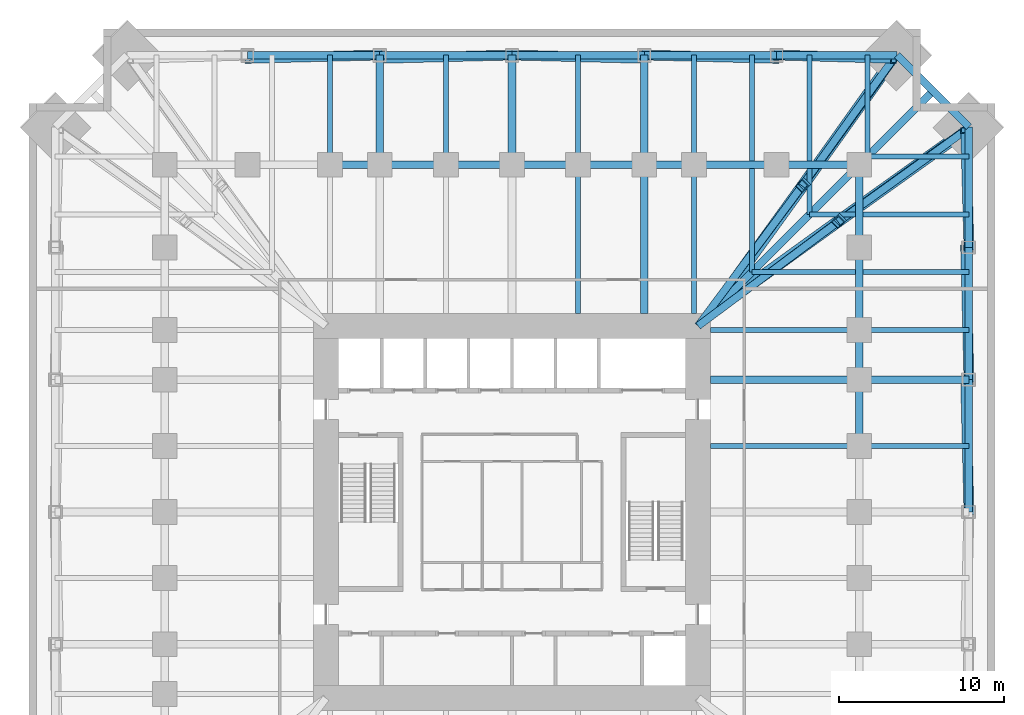
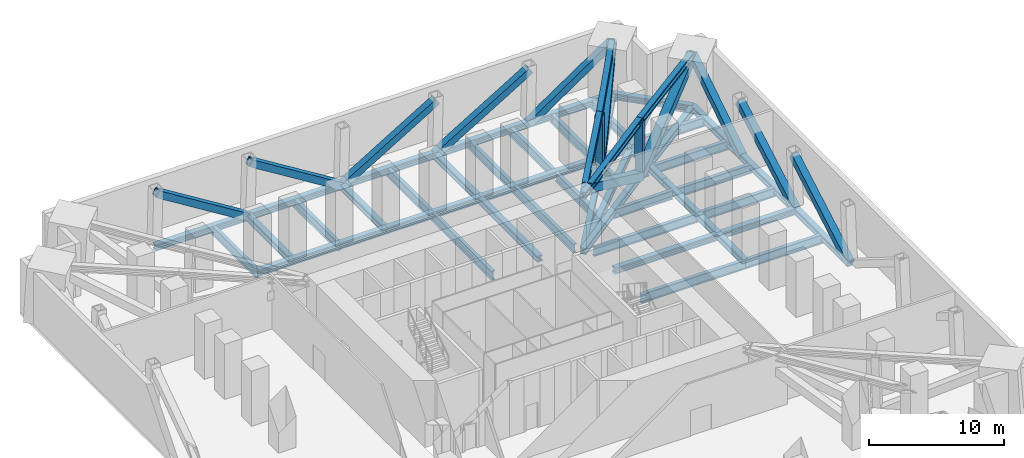
# One storey, part 4 of 9: 41 beams, 30 members.
"""IFC4 building model written with IfcOpenShell, lengths in metres."""

from ifc_helpers import new_model, si_unit, direction, frame, origin, origin_2d, place, context, subcontext, project, spatial, hollow_rectangle, i_section, extrude, material, material_profile, profile_set, type_object, element, save


model = new_model("IFC4")

# Units and contexts
model_context = context("Model", 3, precision=1e-05, world=origin(), true_north=direction((0.0, 1.0)))
body_context = subcontext(model_context, "Body", "Model", "MODEL_VIEW")
ifc_project = project(units=[si_unit("LENGTHUNIT", "METRE"), si_unit("AREAUNIT", "SQUARE_METRE"), si_unit("VOLUMEUNIT", "CUBIC_METRE"), si_unit("PLANEANGLEUNIT", "RADIAN"), si_unit("MASSUNIT", "GRAM", prefix="KILO")], contexts=[model_context])

# Site, building, storey
site_placement = place(None, origin())
site = spatial("IfcSite", under=ifc_project, at=site_placement, CompositionType="ELEMENT")
building_placement = place(site_placement, origin())
building = spatial("IfcBuilding", under=site, at=building_placement, Name="Peilmerk Tower", CompositionType="ELEMENT")
storey_placement = place(building_placement, frame((0.0, 0.0, 81.0)))
storey = spatial("IfcBuildingStorey", under=building, at=storey_placement, Name="L15", CompositionType="ELEMENT", Elevation=81.0)

# Beams
ifc_material = material(Name="Steel S460", Category="steel")
ifc_material_profile_1 = material_profile(ifc_material, i_section(OverallWidth=0.4541015625, OverallDepth=0.569091796875, WebThickness=0.077880859375, FlangeThickness=0.125, at=origin_2d()), Name="HD 400x1086")
ifc_profile_set_1 = profile_set([ifc_material_profile_1], Name="Steel S460")
beam_type_1 = type_object("IfcBeamType", Name="B17 HD 400x1086 edge beam", PredefinedType="SPANDREL", material=ifc_profile_set_1)
beam_1_placement = place(storey_placement, frame((23.28076171875, 27.630615234375, -0.534423828125), z_axis=(0.707106781187, -0.707106781187, 0.0), x_axis=(0.707106781187, 0.707106781187, 0.0)))
element("IfcBeam", 1, at=beam_1_placement, inside=storey, type_object=beam_type_1, Name="Notch beam L15", PredefinedType="SPANDREL", context=body_context, shape_type="SweptSolid", body=[
    extrude(i_section(OverallWidth=0.4541015625, OverallDepth=0.569091796875, WebThickness=0.077880859375, FlangeThickness=0.125, at=origin_2d()), origin(), (0.0, 0.0, 1.0), 6.151611328125),
])
ifc_material_profile_2 = material_profile(ifc_material, i_section(OverallWidth=0.302978515625, OverallDepth=0.81396484375, WebThickness=0.02099609375, FlangeThickness=0.0400390625, at=origin_2d()), Name="HEM 800")
ifc_profile_set_2 = profile_set([ifc_material_profile_2], Name="Steel S460")
beam_type_2 = type_object("IfcBeamType", Name="B26 HEM 800 floor beam", PredefinedType="BEAM", material=ifc_profile_set_2)
beam_2_placement = place(storey_placement, frame((11.0, 12.0, -0.656982421875), z_axis=(0.0, 1.0, 0.0), x_axis=(-1.0, 0.0, 0.0)))
element("IfcBeam", 2, at=beam_2_placement, inside=storey, type_object=beam_type_2, Name="Floor beam L15", PredefinedType="BEAM", context=body_context, shape_type="SweptSolid", body=[
    extrude(i_section(OverallWidth=0.302978515625, OverallDepth=0.81396484375, WebThickness=0.02099609375, FlangeThickness=0.0400390625, at=origin_2d()), origin(), (0.0, 0.0, 1.0), 9.0),
])
beam_3_placement = place(storey_placement, frame((11.0, 21.0, -0.656982421875), z_axis=(0.0, 1.0, 0.0), x_axis=(-1.0, 0.0, 0.0)))
element("IfcBeam", 3, at=beam_3_placement, inside=storey, type_object=beam_type_2, Name="Floor beam L15", PredefinedType="BEAM", context=body_context, shape_type="SweptSolid", body=[
    extrude(i_section(OverallWidth=0.302978515625, OverallDepth=0.81396484375, WebThickness=0.02099609375, FlangeThickness=0.0400390625, at=origin_2d()), origin(), (0.0, 0.0, 1.0), 6.630615234375),
])
beam_4_placement = place(storey_placement, frame((4.0, 12.0, -0.656982421875), z_axis=(0.0, 1.0, 0.0), x_axis=(-1.0, 0.0, 0.0)))
element("IfcBeam", 4, at=beam_4_placement, inside=storey, type_object=beam_type_2, Name="Floor beam L15", PredefinedType="BEAM", context=body_context, shape_type="SweptSolid", body=[
    extrude(i_section(OverallWidth=0.302978515625, OverallDepth=0.81396484375, WebThickness=0.02099609375, FlangeThickness=0.0400390625, at=origin_2d()), origin(), (0.0, 0.0, 1.0), 9.0),
])
for number, where, z_axis, x_axis, name in (
    (5, (4.0, 21.0, -0.656982421875), (0.0, 1.0, 0.0), (-1.0, 0.0, 0.0), "Floor beam L15"),
    (6, (-4.0, 21.0, -0.656982421875), (0.0, 1.0, 0.0), (-1.0, 0.0, 0.0), "Floor beam L15"),
    (7, (-11.0, 21.0, -0.656982421875), (0.0, 1.0, 0.0), (-1.0, 0.0, 0.0), "Floor beam L15"),
):
    element("IfcBeam", number, at=place(storey_placement, frame(where, z_axis=z_axis, x_axis=x_axis)), inside=storey, type_object=beam_type_2, Name=name, PredefinedType="BEAM", context=body_context, shape_type="SweptSolid", body=[
        extrude(i_section(OverallWidth=0.302978515625, OverallDepth=0.81396484375, WebThickness=0.02099609375, FlangeThickness=0.0400390625, at=origin_2d()), origin(), (0.0, 0.0, 1.0), 6.630615234375),
    ])
beam_5_placement = place(storey_placement, frame((12.0, 4.0, -0.656982421875), z_axis=(1.0, 0.0, 0.0), x_axis=(0.0, 1.0, 0.0)))
element("IfcBeam", 8, at=beam_5_placement, inside=storey, type_object=beam_type_2, Name="Floor beam L15", PredefinedType="BEAM", context=body_context, shape_type="SweptSolid", body=[
    extrude(i_section(OverallWidth=0.302978515625, OverallDepth=0.81396484375, WebThickness=0.02099609375, FlangeThickness=0.0400390625, at=origin_2d()), origin(), (0.0, 0.0, 1.0), 9.0),
])
beam_6_placement = place(storey_placement, frame((21.0, 4.0, -0.656982421875), z_axis=(1.0, 0.0, 0.0), x_axis=(0.0, 1.0, 0.0)))
element("IfcBeam", 9, at=beam_6_placement, inside=storey, type_object=beam_type_2, Name="Floor beam L15", PredefinedType="BEAM", context=body_context, shape_type="SweptSolid", body=[
    extrude(i_section(OverallWidth=0.302978515625, OverallDepth=0.81396484375, WebThickness=0.02099609375, FlangeThickness=0.0400390625, at=origin_2d()), origin(), (0.0, 0.0, 1.0), 6.630615234375),
])
beam_7_placement = place(storey_placement, frame((12.0, 11.0, -0.656982421875), z_axis=(1.0, 0.0, 0.0), x_axis=(0.0, 1.0, 0.0)))
element("IfcBeam", 10, at=beam_7_placement, inside=storey, type_object=beam_type_2, Name="Floor beam L15", PredefinedType="BEAM", context=body_context, shape_type="SweptSolid", body=[
    extrude(i_section(OverallWidth=0.302978515625, OverallDepth=0.81396484375, WebThickness=0.02099609375, FlangeThickness=0.0400390625, at=origin_2d()), origin(), (0.0, 0.0, 1.0), 9.0),
])
beam_8_placement = place(storey_placement, frame((21.0, 11.0, -0.656982421875), z_axis=(1.0, 0.0, 0.0), x_axis=(0.0, 1.0, 0.0)))
element("IfcBeam", 11, at=beam_8_placement, inside=storey, type_object=beam_type_2, Name="Floor beam L15", PredefinedType="BEAM", context=body_context, shape_type="SweptSolid", body=[
    extrude(i_section(OverallWidth=0.302978515625, OverallDepth=0.81396484375, WebThickness=0.02099609375, FlangeThickness=0.0400390625, at=origin_2d()), origin(), (0.0, 0.0, 1.0), 6.630615234375),
])
beam_9_placement = place(storey_placement, frame((14.5, 14.5, -0.656982421875), z_axis=(0.0, 1.0, 0.0), x_axis=(-1.0, 0.0, 0.0)))
element("IfcBeam", 12, at=beam_9_placement, inside=storey, type_object=beam_type_2, Name="Floor beam L15", PredefinedType="BEAM", context=body_context, shape_type="SweptSolid", body=[
    extrude(i_section(OverallWidth=0.302978515625, OverallDepth=0.81396484375, WebThickness=0.02099609375, FlangeThickness=0.0400390625, at=origin_2d()), origin(), (0.0, 0.0, 1.0), 6.27294921875),
])
beam_10_placement = place(storey_placement, frame((14.5, 21.22705078125, -0.656982421875), z_axis=(0.0, 1.0, 0.0), x_axis=(-1.0, 0.0, 0.0)))
element("IfcBeam", 13, at=beam_10_placement, inside=storey, type_object=beam_type_2, Name="Floor beam L15", PredefinedType="BEAM", context=body_context, shape_type="SweptSolid", body=[
    extrude(i_section(OverallWidth=0.302978515625, OverallDepth=0.81396484375, WebThickness=0.02099609375, FlangeThickness=0.0400390625, at=origin_2d()), origin(), (0.0, 0.0, 1.0), 6.403564453125),
])
beam_11_placement = place(storey_placement, frame((14.5, 14.5, -0.656982421875), z_axis=(1.0, 0.0, 0.0), x_axis=(0.0, 1.0, 0.0)))
element("IfcBeam", 14, at=beam_11_placement, inside=storey, type_object=beam_type_2, Name="Floor beam L15", PredefinedType="BEAM", context=body_context, shape_type="SweptSolid", body=[
    extrude(i_section(OverallWidth=0.302978515625, OverallDepth=0.81396484375, WebThickness=0.02099609375, FlangeThickness=0.0400390625, at=origin_2d()), origin(), (0.0, 0.0, 1.0), 6.27294921875),
])
beam_12_placement = place(storey_placement, frame((21.22705078125, 14.5, -0.656982421875), z_axis=(1.0, 0.0, 0.0), x_axis=(0.0, 1.0, 0.0)))
element("IfcBeam", 15, at=beam_12_placement, inside=storey, type_object=beam_type_2, Name="Floor beam L15", PredefinedType="BEAM", context=body_context, shape_type="SweptSolid", body=[
    extrude(i_section(OverallWidth=0.302978515625, OverallDepth=0.81396484375, WebThickness=0.02099609375, FlangeThickness=0.0400390625, at=origin_2d()), origin(), (0.0, 0.0, 1.0), 6.403564453125),
])
beam_13_placement = place(storey_placement, frame((18.0, 18.0, -0.656982421875), z_axis=(0.0, 1.0, 0.0), x_axis=(-1.0, 0.0, 0.0)))
element("IfcBeam", 16, at=beam_13_placement, inside=storey, type_object=beam_type_2, Name="Floor beam L15", PredefinedType="BEAM", context=body_context, shape_type="SweptSolid", body=[
    extrude(i_section(OverallWidth=0.302978515625, OverallDepth=0.81396484375, WebThickness=0.02099609375, FlangeThickness=0.0400390625, at=origin_2d()), origin(), (0.0, 0.0, 1.0), 2.77294921875),
])
beam_14_placement = place(storey_placement, frame((18.0, 21.22705078125, -0.656982421875), z_axis=(0.0, 1.0, 0.0), x_axis=(-1.0, 0.0, 0.0)))
element("IfcBeam", 17, at=beam_14_placement, inside=storey, type_object=beam_type_2, Name="Floor beam L15", PredefinedType="BEAM", context=body_context, shape_type="SweptSolid", body=[
    extrude(i_section(OverallWidth=0.302978515625, OverallDepth=0.81396484375, WebThickness=0.02099609375, FlangeThickness=0.0400390625, at=origin_2d()), origin(), (0.0, 0.0, 1.0), 6.403564453125),
])
beam_15_placement = place(storey_placement, frame((18.0, 18.0, -0.656982421875), z_axis=(1.0, 0.0, 0.0), x_axis=(0.0, 1.0, 0.0)))
element("IfcBeam", 18, at=beam_15_placement, inside=storey, type_object=beam_type_2, Name="Floor beam L15", PredefinedType="BEAM", context=body_context, shape_type="SweptSolid", body=[
    extrude(i_section(OverallWidth=0.302978515625, OverallDepth=0.81396484375, WebThickness=0.02099609375, FlangeThickness=0.0400390625, at=origin_2d()), origin(), (0.0, 0.0, 1.0), 2.77294921875),
])
beam_16_placement = place(storey_placement, frame((21.22705078125, 18.0, -0.656982421875), z_axis=(1.0, 0.0, 0.0), x_axis=(0.0, 1.0, 0.0)))
element("IfcBeam", 19, at=beam_16_placement, inside=storey, type_object=beam_type_2, Name="Floor beam L15", PredefinedType="BEAM", context=body_context, shape_type="SweptSolid", body=[
    extrude(i_section(OverallWidth=0.302978515625, OverallDepth=0.81396484375, WebThickness=0.02099609375, FlangeThickness=0.0400390625, at=origin_2d()), origin(), (0.0, 0.0, 1.0), 6.403564453125),
])
for number, where, z_axis, x_axis, name in (
    (20, (21.5, 21.5, -0.656982421875), (0.0, 1.0, 0.0), (-1.0, 0.0, 0.0), "Floor beam L15"),
    (21, (21.5, 21.5, -0.656982421875), (1.0, 0.0, 0.0), (0.0, 1.0, 0.0), "Floor beam L15"),
):
    element("IfcBeam", number, at=place(storey_placement, frame(where, z_axis=z_axis, x_axis=x_axis)), inside=storey, type_object=beam_type_2, Name=name, PredefinedType="BEAM", context=body_context, shape_type="SweptSolid", body=[
        extrude(i_section(OverallWidth=0.302978515625, OverallDepth=0.81396484375, WebThickness=0.02099609375, FlangeThickness=0.0400390625, at=origin_2d()), origin(), (0.0, 0.0, 1.0), 6.130615234375),
    ])
ifc_material_profile_3 = material_profile(ifc_material, i_section(OverallWidth=0.4541015625, OverallDepth=0.569091796875, WebThickness=0.077880859375, FlangeThickness=0.125, at=origin_2d()), Name="HD 400x1086")
ifc_profile_set_3 = profile_set([ifc_material_profile_3], Name="Steel S460")
beam_type_3 = type_object("IfcBeamType", Name="B9 HD 400x1086 corner girder", PredefinedType="BEAM", material=ifc_profile_set_3)
beam_17_placement = place(storey_placement, frame((8.0, 12.0, -0.534423828125), z_axis=(0.0, 1.0, 0.0), x_axis=(-1.0, 0.0, 0.0)))
element("IfcBeam", 22, at=beam_17_placement, inside=storey, type_object=beam_type_3, Name="Floor girder L15", PredefinedType="BEAM", context=body_context, shape_type="SweptSolid", body=[
    extrude(i_section(OverallWidth=0.4541015625, OverallDepth=0.569091796875, WebThickness=0.077880859375, FlangeThickness=0.125, at=origin_2d()), origin(), (0.0, 0.0, 1.0), 9.0),
])
for number, where, z_axis, x_axis, name in (
    (23, (8.0, 21.0, -0.534423828125), (0.0, 1.0, 0.0), (-1.0, 0.0, 0.0), "Floor girder L15"),
    (24, (0.0, 21.0, -0.534423828125), (0.0, 1.0, 0.0), (-1.0, 0.0, 0.0), "Floor girder L15"),
    (25, (-8.0, 21.0, -0.534423828125), (0.0, 1.0, 0.0), (-1.0, 0.0, 0.0), "Floor girder L15"),
):
    element("IfcBeam", number, at=place(storey_placement, frame(where, z_axis=z_axis, x_axis=x_axis)), inside=storey, type_object=beam_type_3, Name=name, PredefinedType="BEAM", context=body_context, shape_type="SweptSolid", body=[
        extrude(i_section(OverallWidth=0.4541015625, OverallDepth=0.569091796875, WebThickness=0.077880859375, FlangeThickness=0.125, at=origin_2d()), origin(), (0.0, 0.0, 1.0), 6.630615234375),
    ])
for number, where, z_axis, x_axis, name in (
    (26, (21.0, 21.0, -0.534423828125), (-1.0, 0.0, 0.0), (0.0, -1.0, 0.0), "Ring girder L15"),
    (27, (16.0, 21.0, -0.534423828125), (-1.0, 0.0, 0.0), (0.0, -1.0, 0.0), "Ring girder L15"),
):
    element("IfcBeam", number, at=place(storey_placement, frame(where, z_axis=z_axis, x_axis=x_axis)), inside=storey, type_object=beam_type_3, Name=name, PredefinedType="BEAM", context=body_context, shape_type="SweptSolid", body=[
        extrude(i_section(OverallWidth=0.4541015625, OverallDepth=0.569091796875, WebThickness=0.077880859375, FlangeThickness=0.125, at=origin_2d()), origin(), (0.0, 0.0, 1.0), 5.0),
    ])
beam_18_placement = place(storey_placement, frame((11.0, 21.0, -0.534423828125), z_axis=(-1.0, 0.0, 0.0), x_axis=(0.0, -1.0, 0.0)))
element("IfcBeam", 28, at=beam_18_placement, inside=storey, type_object=beam_type_3, Name="Ring girder L15", PredefinedType="BEAM", context=body_context, shape_type="SweptSolid", body=[
    extrude(i_section(OverallWidth=0.4541015625, OverallDepth=0.569091796875, WebThickness=0.077880859375, FlangeThickness=0.125, at=origin_2d()), origin(), (0.0, 0.0, 1.0), 3.0),
])
for number, where, z_axis, x_axis, name in (
    (29, (8.0, 21.0, -0.534423828125), (-1.0, 0.0, 0.0), (0.0, -1.0, 0.0), "Ring girder L15"),
    (30, (4.0, 21.0, -0.534423828125), (-1.0, 0.0, 0.0), (0.0, -1.0, 0.0), "Ring girder L15"),
    (31, (0.0, 21.0, -0.534423828125), (-1.0, 0.0, 0.0), (0.0, -1.0, 0.0), "Ring girder L15"),
    (32, (-4.0, 21.0, -0.534423828125), (-1.0, 0.0, 0.0), (0.0, -1.0, 0.0), "Ring girder L15"),
):
    element("IfcBeam", number, at=place(storey_placement, frame(where, z_axis=z_axis, x_axis=x_axis)), inside=storey, type_object=beam_type_3, Name=name, PredefinedType="BEAM", context=body_context, shape_type="SweptSolid", body=[
        extrude(i_section(OverallWidth=0.4541015625, OverallDepth=0.569091796875, WebThickness=0.077880859375, FlangeThickness=0.125, at=origin_2d()), origin(), (0.0, 0.0, 1.0), 4.0),
    ])
beam_19_placement = place(storey_placement, frame((-8.0, 21.0, -0.534423828125), z_axis=(-1.0, 0.0, 0.0), x_axis=(0.0, -1.0, 0.0)))
element("IfcBeam", 33, at=beam_19_placement, inside=storey, type_object=beam_type_3, Name="Ring girder L15", PredefinedType="BEAM", context=body_context, shape_type="SweptSolid", body=[
    extrude(i_section(OverallWidth=0.4541015625, OverallDepth=0.569091796875, WebThickness=0.077880859375, FlangeThickness=0.125, at=origin_2d()), origin(), (0.0, 0.0, 1.0), 3.0),
])
beam_20_placement = place(storey_placement, frame((12.0, 8.0, -0.534423828125), z_axis=(1.0, 0.0, 0.0), x_axis=(0.0, 1.0, 0.0)))
element("IfcBeam", 34, at=beam_20_placement, inside=storey, type_object=beam_type_3, Name="Floor girder L15", PredefinedType="BEAM", context=body_context, shape_type="SweptSolid", body=[
    extrude(i_section(OverallWidth=0.4541015625, OverallDepth=0.569091796875, WebThickness=0.077880859375, FlangeThickness=0.125, at=origin_2d()), origin(), (0.0, 0.0, 1.0), 9.0),
])
beam_21_placement = place(storey_placement, frame((21.0, 8.0, -0.534423828125), z_axis=(1.0, 0.0, 0.0), x_axis=(0.0, 1.0, 0.0)))
element("IfcBeam", 35, at=beam_21_placement, inside=storey, type_object=beam_type_3, Name="Floor girder L15", PredefinedType="BEAM", context=body_context, shape_type="SweptSolid", body=[
    extrude(i_section(OverallWidth=0.4541015625, OverallDepth=0.569091796875, WebThickness=0.077880859375, FlangeThickness=0.125, at=origin_2d()), origin(), (0.0, 0.0, 1.0), 6.630615234375),
])
beam_22_placement = place(storey_placement, frame((21.0, 4.0, -0.534423828125), z_axis=(0.0, 1.0, 0.0), x_axis=(-1.0, 0.0, 0.0)))
element("IfcBeam", 36, at=beam_22_placement, inside=storey, type_object=beam_type_3, Name="Ring girder L15", PredefinedType="BEAM", context=body_context, shape_type="SweptSolid", body=[
    extrude(i_section(OverallWidth=0.4541015625, OverallDepth=0.569091796875, WebThickness=0.077880859375, FlangeThickness=0.125, at=origin_2d()), origin(), (0.0, 0.0, 1.0), 4.0),
])
beam_23_placement = place(storey_placement, frame((21.0, 8.0, -0.534423828125), z_axis=(0.0, 1.0, 0.0), x_axis=(-1.0, 0.0, 0.0)))
element("IfcBeam", 37, at=beam_23_placement, inside=storey, type_object=beam_type_3, Name="Ring girder L15", PredefinedType="BEAM", context=body_context, shape_type="SweptSolid", body=[
    extrude(i_section(OverallWidth=0.4541015625, OverallDepth=0.569091796875, WebThickness=0.077880859375, FlangeThickness=0.125, at=origin_2d()), origin(), (0.0, 0.0, 1.0), 3.0),
])
for number, where, z_axis, x_axis, name in (
    (38, (21.0, 11.0, -0.534423828125), (0.0, 1.0, 0.0), (-1.0, 0.0, 0.0), "Ring girder L15"),
    (39, (21.0, 16.0, -0.534423828125), (0.0, 1.0, 0.0), (-1.0, 0.0, 0.0), "Ring girder L15"),
):
    element("IfcBeam", number, at=place(storey_placement, frame(where, z_axis=z_axis, x_axis=x_axis)), inside=storey, type_object=beam_type_3, Name=name, PredefinedType="BEAM", context=body_context, shape_type="SweptSolid", body=[
        extrude(i_section(OverallWidth=0.4541015625, OverallDepth=0.569091796875, WebThickness=0.077880859375, FlangeThickness=0.125, at=origin_2d()), origin(), (0.0, 0.0, 1.0), 5.0),
    ])
beam_24_placement = place(storey_placement, frame((11.25, 11.25, -0.534423828125), z_axis=(0.707106781187, 0.707106781187, 0.0), x_axis=(-0.707106781187, 0.707106781187, 0.0)))
element("IfcBeam", 40, at=beam_24_placement, inside=storey, type_object=beam_type_3, Name="Corner girder L15", PredefinedType="BEAM", context=body_context, shape_type="SweptSolid", body=[
    extrude(i_section(OverallWidth=0.4541015625, OverallDepth=0.569091796875, WebThickness=0.077880859375, FlangeThickness=0.125, at=origin_2d()), origin(), (0.0, 0.0, 1.0), 13.78857421875),
])
beam_25_placement = place(storey_placement, frame((21.0, 21.0, -0.534423828125), z_axis=(0.707106781187, 0.707106781187, 0.0), x_axis=(-0.707106781187, 0.707106781187, 0.0)))
element("IfcBeam", 41, at=beam_25_placement, inside=storey, type_object=beam_type_3, Name="Corner girder L15", PredefinedType="BEAM", context=body_context, shape_type="SweptSolid", body=[
    extrude(i_section(OverallWidth=0.4541015625, OverallDepth=0.569091796875, WebThickness=0.077880859375, FlangeThickness=0.125, at=origin_2d()), origin(), (0.0, 0.0, 1.0), 6.301025390625),
])

# Members
ifc_material_profile_4 = material_profile(ifc_material, i_section(OverallWidth=0.4541015625, OverallDepth=0.569091796875, WebThickness=0.077880859375, FlangeThickness=0.125, at=origin_2d()), Name="HD 400x1086")
ifc_profile_set_4 = profile_set([ifc_material_profile_4], Name="Steel S460")
member_type_1 = type_object("IfcMemberType", Name="M1 HD 400x1086 belt truss chord", PredefinedType="CHORD", material=ifc_profile_set_4)
member_1_placement = place(storey_placement, frame((23.28076171875, 27.630615234375, -0.534423828125), z_axis=(-1.0, 0.0, 0.0), x_axis=(0.0, -1.0, 0.0)))
element("IfcMember", 42, at=member_1_placement, inside=storey, type_object=member_type_1, Name="Belt truss chord L15", PredefinedType="CHORD", context=body_context, shape_type="SweptSolid", body=[
    extrude(i_section(OverallWidth=0.4541015625, OverallDepth=0.569091796875, WebThickness=0.077880859375, FlangeThickness=0.125, at=origin_2d()), origin(), (0.0, 0.0, 1.0), 7.28076171875),
])
for number, where, z_axis, x_axis, name in (
    (43, (16.0, 27.630615234375, -0.534423828125), (-1.0, 0.0, 0.0), (0.0, -1.0, 0.0), "Belt truss chord L15"),
    (44, (8.0, 27.630615234375, -0.534423828125), (-1.0, 0.0, 0.0), (0.0, -1.0, 0.0), "Belt truss chord L15"),
    (45, (0.0, 27.630615234375, -0.534423828125), (-1.0, 0.0, 0.0), (0.0, -1.0, 0.0), "Belt truss chord L15"),
    (46, (-8.0, 27.630615234375, -0.534423828125), (-1.0, 0.0, 0.0), (0.0, -1.0, 0.0), "Belt truss chord L15"),
    (47, (27.630615234375, 0.0, -0.534423828125), (0.0, 1.0, 0.0), (-1.0, 0.0, 0.0), "Belt truss chord L15"),
    (48, (27.630615234375, 8.0, -0.534423828125), (0.0, 1.0, 0.0), (-1.0, 0.0, 0.0), "Belt truss chord L15"),
):
    element("IfcMember", number, at=place(storey_placement, frame(where, z_axis=z_axis, x_axis=x_axis)), inside=storey, type_object=member_type_1, Name=name, PredefinedType="CHORD", context=body_context, shape_type="SweptSolid", body=[
        extrude(i_section(OverallWidth=0.4541015625, OverallDepth=0.569091796875, WebThickness=0.077880859375, FlangeThickness=0.125, at=origin_2d()), origin(), (0.0, 0.0, 1.0), 8.0),
    ])
member_2_placement = place(storey_placement, frame((27.630615234375, 16.0, -0.534423828125), z_axis=(0.0, 1.0, 0.0), x_axis=(-1.0, 0.0, 0.0)))
element("IfcMember", 49, at=member_2_placement, inside=storey, type_object=member_type_1, Name="Belt truss chord L15", PredefinedType="CHORD", context=body_context, shape_type="SweptSolid", body=[
    extrude(i_section(OverallWidth=0.4541015625, OverallDepth=0.569091796875, WebThickness=0.077880859375, FlangeThickness=0.125, at=origin_2d()), origin(), (0.0, 0.0, 1.0), 7.28076171875),
])
member_3_placement = place(storey_placement, frame((11.25, 11.25, -0.534423828125), z_axis=(0.801510739962, 0.597980379047, 0.0), x_axis=(-0.597980379047, 0.801510739962, 0.0)))
element("IfcMember", 50, at=member_3_placement, inside=storey, type_object=member_type_1, Name="Outrigger chord T1 NE", PredefinedType="CHORD", context=body_context, shape_type="SweptSolid", body=[
    extrude(i_section(OverallWidth=0.4541015625, OverallDepth=0.569091796875, WebThickness=0.077880859375, FlangeThickness=0.125, at=origin_2d()), origin(), (0.0, 0.0, 1.0), 10.6865234375),
])
member_4_placement = place(storey_placement, frame((19.8154296875, 17.640380859375, -0.534423828125), z_axis=(0.810872224403, 0.585223235775, 0.0), x_axis=(-0.585223235775, 0.810872224403, 0.0)))
element("IfcMember", 51, at=member_4_placement, inside=storey, type_object=member_type_1, Name="Outrigger chord T1 NE", PredefinedType="CHORD", context=body_context, shape_type="SweptSolid", body=[
    extrude(i_section(OverallWidth=0.4541015625, OverallDepth=0.569091796875, WebThickness=0.077880859375, FlangeThickness=0.125, at=origin_2d()), origin(), (0.0, 0.0, 1.0), 9.637939453125),
])
member_5_placement = place(storey_placement, frame((11.25, 11.25, 4.515380859375), z_axis=(0.802672915293, 0.596419475751, 0.0), x_axis=(-0.596419475751, 0.802672915293, 0.0)))
element("IfcMember", 52, at=member_5_placement, inside=storey, type_object=member_type_1, Name="Outrigger chord T1 NE", PredefinedType="CHORD", context=body_context, shape_type="SweptSolid", body=[
    extrude(i_section(OverallWidth=0.4541015625, OverallDepth=0.569091796875, WebThickness=0.077880859375, FlangeThickness=0.125, at=origin_2d()), origin(), (0.0, 0.0, 1.0), 10.54541015625),
])
member_6_placement = place(storey_placement, frame((19.714599609375, 17.53955078125, 4.515380859375), z_axis=(0.812271893722, 0.583278981852, 0.0), x_axis=(-0.583278981852, 0.812271893722, 0.0)))
element("IfcMember", 53, at=member_6_placement, inside=storey, type_object=member_type_1, Name="Outrigger chord T1 NE", PredefinedType="CHORD", context=body_context, shape_type="SweptSolid", body=[
    extrude(i_section(OverallWidth=0.4541015625, OverallDepth=0.569091796875, WebThickness=0.077880859375, FlangeThickness=0.125, at=origin_2d()), origin(), (0.0, 0.0, 1.0), 9.497314453125),
])
member_7_placement = place(storey_placement, frame((11.25, 11.25, -0.534423828125), z_axis=(0.597980379047, 0.801510739962, 0.0), x_axis=(-0.801510739962, 0.597980379047, 0.0)))
element("IfcMember", 54, at=member_7_placement, inside=storey, type_object=member_type_1, Name="Outrigger chord T1 NE", PredefinedType="CHORD", context=body_context, shape_type="SweptSolid", body=[
    extrude(i_section(OverallWidth=0.4541015625, OverallDepth=0.569091796875, WebThickness=0.077880859375, FlangeThickness=0.125, at=origin_2d()), origin(), (0.0, 0.0, 1.0), 10.6865234375),
])
member_8_placement = place(storey_placement, frame((17.640380859375, 19.8154296875, -0.534423828125), z_axis=(0.585223235775, 0.810872224403, 0.0), x_axis=(-0.810872224403, 0.585223235775, 0.0)))
element("IfcMember", 55, at=member_8_placement, inside=storey, type_object=member_type_1, Name="Outrigger chord T1 NE", PredefinedType="CHORD", context=body_context, shape_type="SweptSolid", body=[
    extrude(i_section(OverallWidth=0.4541015625, OverallDepth=0.569091796875, WebThickness=0.077880859375, FlangeThickness=0.125, at=origin_2d()), origin(), (0.0, 0.0, 1.0), 9.637939453125),
])
member_9_placement = place(storey_placement, frame((11.25, 11.25, 4.515380859375), z_axis=(0.596419475751, 0.802672915293, 0.0), x_axis=(-0.802672915293, 0.596419475751, 0.0)))
element("IfcMember", 56, at=member_9_placement, inside=storey, type_object=member_type_1, Name="Outrigger chord T1 NE", PredefinedType="CHORD", context=body_context, shape_type="SweptSolid", body=[
    extrude(i_section(OverallWidth=0.4541015625, OverallDepth=0.569091796875, WebThickness=0.077880859375, FlangeThickness=0.125, at=origin_2d()), origin(), (0.0, 0.0, 1.0), 10.54541015625),
])
member_10_placement = place(storey_placement, frame((17.53955078125, 19.714599609375, 4.515380859375), z_axis=(0.583278981852, 0.812271893722, 0.0), x_axis=(-0.812271893722, 0.583278981852, 0.0)))
element("IfcMember", 57, at=member_10_placement, inside=storey, type_object=member_type_1, Name="Outrigger chord T1 NE", PredefinedType="CHORD", context=body_context, shape_type="SweptSolid", body=[
    extrude(i_section(OverallWidth=0.4541015625, OverallDepth=0.569091796875, WebThickness=0.077880859375, FlangeThickness=0.125, at=origin_2d()), origin(), (0.0, 0.0, 1.0), 9.497314453125),
])
ifc_material_profile_5 = material_profile(ifc_material, hollow_rectangle(XDim=0.60009765625, YDim=0.60009765625, WallThickness=0.06005859375, at=origin_2d()), Name="BOX 600x600x60")
ifc_profile_set_5 = profile_set([ifc_material_profile_5], Name="Steel S460")
member_type_2 = type_object("IfcMemberType", Name="M2 BOX 600x600x60 belt truss diagonal", PredefinedType="BRACE", material=ifc_profile_set_5)
member_11_placement = place(storey_placement, frame((16.0, 27.630615234375, -0.534423828125), z_axis=(0.813878712609, -0.023184708809, 0.580572054477), x_axis=(0.028475136498, 0.999594501086, 0.0)))
element("IfcMember", 58, at=member_11_placement, inside=storey, type_object=member_type_2, Name="Belt truss diagonal T1 N", PredefinedType="BRACE", context=body_context, shape_type="SweptSolid", body=[
    extrude(hollow_rectangle(XDim=0.60009765625, YDim=0.60009765625, WallThickness=0.06005859375, at=origin_2d()), origin(), (0.0, 0.0, 1.0), 8.697998046875),
])
for number, where, z_axis, x_axis, name in (
    (59, (8.0, 27.630615234375, -0.534423828125), (0.845431734913, -0.02131123697, 0.533658142241), (0.025199514677, 0.999682441808, 0.0), "Belt truss diagonal T1 N"),
    (60, (0.0, 27.630615234375, -0.534423828125), (0.845431734913, -0.02131123697, 0.533658142241), (0.025199514677, 0.999682441808, 0.0), "Belt truss diagonal T1 N"),
    (61, (0.0, 27.630615234375, -0.534423828125), (-0.845431734913, -0.02131123697, 0.533658142241), (0.025199514677, -0.999682441808, 0.0), "Belt truss diagonal T1 N"),
    (62, (-8.0, 27.630615234375, -0.534423828125), (-0.845431734913, -0.02131123697, 0.533658142241), (0.025199514677, -0.999682441808, 0.0), "Belt truss diagonal T1 N"),
    (63, (27.630615234375, 0.0, -0.534423828125), (-0.02131123697, 0.845431734913, 0.533658142241), (-0.999682441808, -0.025199514677, 0.0), "Belt truss diagonal T1 E"),
    (64, (27.630615234375, 8.0, -0.534423828125), (-0.02131123697, 0.845431734913, 0.533658142241), (-0.999682441808, -0.025199514677, 0.0), "Belt truss diagonal T1 E"),
):
    element("IfcMember", number, at=place(storey_placement, frame(where, z_axis=z_axis, x_axis=x_axis)), inside=storey, type_object=member_type_2, Name=name, PredefinedType="BRACE", context=body_context, shape_type="SweptSolid", body=[
        extrude(hollow_rectangle(XDim=0.60009765625, YDim=0.60009765625, WallThickness=0.06005859375, at=origin_2d()), origin(), (0.0, 0.0, 1.0), 9.462646484375),
    ])
member_12_placement = place(storey_placement, frame((27.630615234375, 16.0, -0.534423828125), z_axis=(-0.023184708809, 0.813878712609, 0.580572054477), x_axis=(-0.999594501086, -0.028475136498, 0.0)))
element("IfcMember", 65, at=member_12_placement, inside=storey, type_object=member_type_2, Name="Belt truss diagonal T1 E", PredefinedType="BRACE", context=body_context, shape_type="SweptSolid", body=[
    extrude(hollow_rectangle(XDim=0.60009765625, YDim=0.60009765625, WallThickness=0.06005859375, at=origin_2d()), origin(), (0.0, 0.0, 1.0), 8.697998046875),
])
ifc_material_profile_6 = material_profile(ifc_material, hollow_rectangle(XDim=0.60009765625, YDim=0.60009765625, WallThickness=0.06005859375, at=origin_2d()), Name="BOX 600x600x60")
ifc_profile_set_6 = profile_set([ifc_material_profile_6], Name="Steel S460")
member_type_3 = type_object("IfcMemberType", Name="M3 BOX 600x600x60 outrigger post", PredefinedType="POST", material=ifc_profile_set_6)
for number, where, z_axis, x_axis, name in (
    (66, (19.8154296875, 17.640380859375, -0.534423828125), (-0.019959168491, -0.019959168491, 0.999601552213), (0.707106781187, -0.707106781187, 0.0), "Outrigger post T1 NE"),
    (67, (17.640380859375, 19.8154296875, -0.534423828125), (-0.019959168491, -0.019959168491, 0.999601552213), (0.707106781187, -0.707106781187, 0.0), "Outrigger post T1 NE"),
):
    element("IfcMember", number, at=place(storey_placement, frame(where, z_axis=z_axis, x_axis=x_axis)), inside=storey, type_object=member_type_3, Name=name, PredefinedType="POST", context=body_context, shape_type="SweptSolid", body=[
        extrude(hollow_rectangle(XDim=0.60009765625, YDim=0.60009765625, WallThickness=0.06005859375, at=origin_2d()), origin(), (0.0, 0.0, 1.0), 5.0517578125),
    ])
ifc_material_profile_7 = material_profile(ifc_material, hollow_rectangle(XDim=0.699951171875, YDim=0.699951171875, WallThickness=0.080078125, at=origin_2d()), Name="BOX 700x700x80")
ifc_profile_set_7 = profile_set([ifc_material_profile_7], Name="Steel S460")
member_type_4 = type_object("IfcMemberType", Name="M4 BOX 700x700x80 outrigger diagonal", PredefinedType="BRACE", material=ifc_profile_set_7)
member_13_placement = place(storey_placement, frame((19.8154296875, 17.640380859375, -0.534423828125), z_axis=(-0.718266332677, -0.518371457073, 0.464095365022), x_axis=(0.585211215329, -0.810880899672, 0.0)))
element("IfcMember", 68, at=member_13_placement, inside=storey, type_object=member_type_4, Name="Outrigger diagonal T1", PredefinedType="BRACE", context=body_context, shape_type="SweptSolid", body=[
    extrude(hollow_rectangle(XDim=0.699951171875, YDim=0.699951171875, WallThickness=0.080078125, at=origin_2d()), origin(), (0.0, 0.0, 1.0), 10.880859375),
])
member_14_placement = place(storey_placement, frame((19.8154296875, 17.640380859375, -0.534423828125), z_axis=(0.716074552909, 0.5115277478, 0.474949047695), x_axis=(-0.581272748729, 0.813708787948, 0.0)))
element("IfcMember", 69, at=member_14_placement, inside=storey, type_object=member_type_4, Name="Outrigger diagonal T1", PredefinedType="BRACE", context=body_context, shape_type="SweptSolid", body=[
    extrude(hollow_rectangle(XDim=0.699951171875, YDim=0.699951171875, WallThickness=0.080078125, at=origin_2d()), origin(), (0.0, 0.0, 1.0), 10.63232421875),
])
member_15_placement = place(storey_placement, frame((17.640380859375, 19.8154296875, -0.534423828125), z_axis=(-0.518371457073, -0.718266332677, 0.464095365022), x_axis=(0.810880899672, -0.585211215329, 0.0)))
element("IfcMember", 70, at=member_15_placement, inside=storey, type_object=member_type_4, Name="Outrigger diagonal T1", PredefinedType="BRACE", context=body_context, shape_type="SweptSolid", body=[
    extrude(hollow_rectangle(XDim=0.699951171875, YDim=0.699951171875, WallThickness=0.080078125, at=origin_2d()), origin(), (0.0, 0.0, 1.0), 10.880859375),
])
member_16_placement = place(storey_placement, frame((17.640380859375, 19.8154296875, -0.534423828125), z_axis=(0.5115277478, 0.716074552909, 0.474949047695), x_axis=(-0.813708787948, 0.581272748729, 0.0)))
element("IfcMember", 71, at=member_16_placement, inside=storey, type_object=member_type_4, Name="Outrigger diagonal T1", PredefinedType="BRACE", context=body_context, shape_type="SweptSolid", body=[
    extrude(hollow_rectangle(XDim=0.699951171875, YDim=0.699951171875, WallThickness=0.080078125, at=origin_2d()), origin(), (0.0, 0.0, 1.0), 10.63232421875),
])

save(model, "model.ifc")
